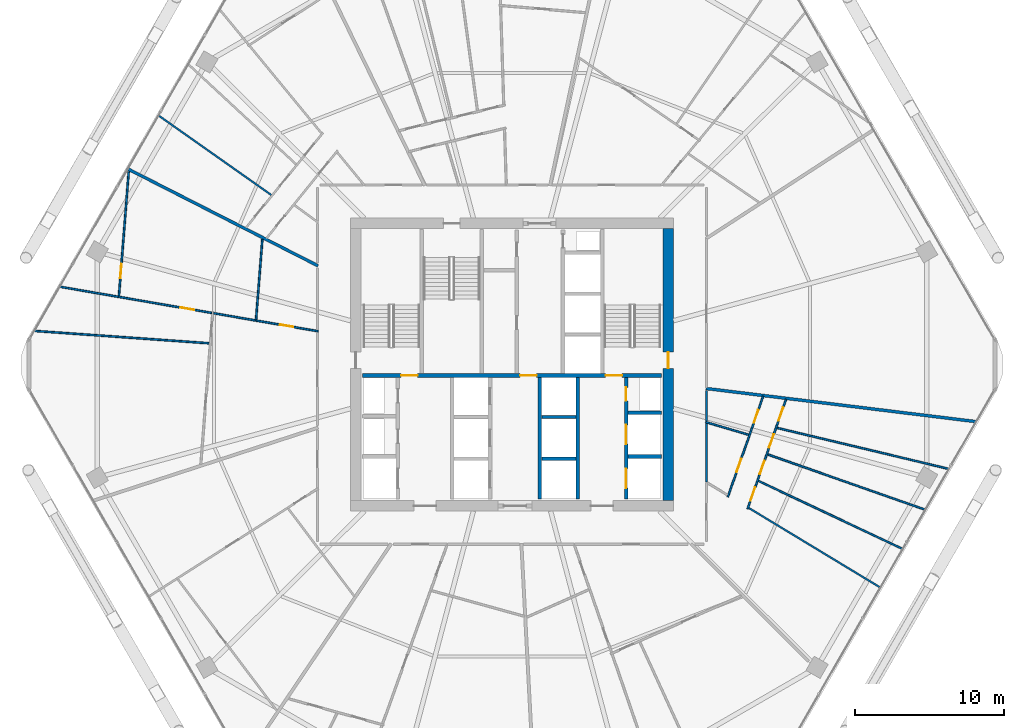
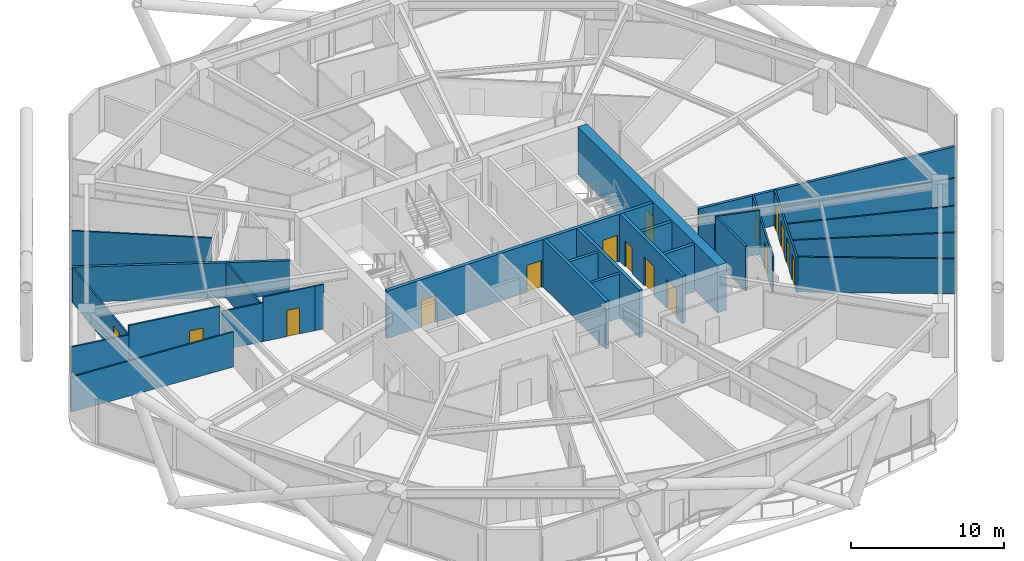
# One storey, part 29 of 35: 29 walls, 16 doors, 16 openings.
"""IFC4 building model written with IfcOpenShell, lengths in metres."""

from ifc_helpers import new_model, si_unit, direction, frame, frame_2d, origin, place, context, subcontext, project, spatial, rectangle, extrude, material, layer, layer_set, type_object, element, fill, save


model = new_model("IFC4")

# Units and contexts
model_context = context("Model", 3, precision=1e-05, world=origin(), true_north=direction((0.0, 1.0)))
body_context = subcontext(model_context, "Body", "Model", "MODEL_VIEW")
ifc_project = project(units=[si_unit("LENGTHUNIT", "METRE"), si_unit("AREAUNIT", "SQUARE_METRE"), si_unit("VOLUMEUNIT", "CUBIC_METRE"), si_unit("PLANEANGLEUNIT", "RADIAN"), si_unit("MASSUNIT", "GRAM", prefix="KILO")], contexts=[model_context])

# Site, building, storey
site_placement = place(None, origin())
site = spatial("IfcSite", under=ifc_project, at=site_placement, CompositionType="ELEMENT")
building_placement = place(site_placement, origin())
building = spatial("IfcBuilding", under=site, at=building_placement, Name="Zuhravey Tower", CompositionType="ELEMENT")
storey_placement = place(building_placement, frame((0.0, 0.0, 115.199951171875)))
storey = spatial("IfcBuildingStorey", under=building, at=storey_placement, Name="L28", CompositionType="ELEMENT", Elevation=115.199951171875)

# Wall, opening, door
ifc_material_1 = material(Name="Concrete C60/75", Category="concrete")
ifc_layer_1 = layer(ifc_material_1, 0.699951171875)
ifc_layer_set_1 = layer_set([ifc_layer_1], Name="Concrete C60/75")
wall_type_1 = type_object("IfcWallType", Name="Core Shear Wall 700", PredefinedType="SHEAR", material=ifc_layer_set_1)
wall_1_placement = place(storey_placement, frame((46.5, 22.85009765625, 0.0), z_axis=(0.0, 0.0, 1.0), x_axis=(0.0, 1.0, 0.0)))
wall_1 = element("IfcWall", 1, at=wall_1_placement, inside=storey, type_object=wall_type_1, Name="L28 East Core Shear Wall CW70", PredefinedType="SHEAR", context=body_context, shape_type="SweptSolid", body=[
    extrude(rectangle(XDim=18.2998046875, YDim=0.699951171875, at=frame_2d((9.14990234375, 0.0))), origin(), (0.0, 0.0, 1.0), 3.800048828125),
])
opening_1_placement = place(wall_1_placement, frame((8.89990234375, 0.0, 0.0)))
opening_1 = element("IfcOpeningElement", 2, at=opening_1_placement, cuts=wall_1, Name="Opening STD1", PredefinedType="OPENING", context=body_context, shape_type="SweptSolid", body=[
    extrude(rectangle(XDim=1.10009765625, YDim=2.14990234375, at=frame_2d((0.550048828125, 1.074951171875))), frame((0.0, 0.362060546875, 0.0), z_axis=(0.0, -1.0, 0.0), x_axis=(1.0, 0.0, 0.0)), (0.0, 0.0, 1.0), 0.723876953125),
])
ifc_material_2 = material(Name="Galvanised fire-rated steel leaf", Category="steel")
door_type_1 = type_object("IfcDoorType", Name="Protected Stair Fire Door 1100x2150", OperationType="NOTDEFINED", PredefinedType="USERDEFINED", material=ifc_material_2)
door_1_placement = place(opening_1_placement, origin())
door_1 = element("IfcDoor", 3, at=door_1_placement, inside=storey, type_object=door_type_1, Name="L28 Stair ST2 Door", ObjectType="EXITDOOR", OperationType="SINGLE_SWING_LEFT", OverallHeight=2.14990234375, OverallWidth=1.10009765625, PredefinedType="USERDEFINED", context=body_context, shape_type="SweptSolid", body=[
    extrude(rectangle(XDim=1.10009765625, YDim=2.14990234375, at=frame_2d((0.550048828125, 1.074951171875))), frame((0.0, 0.02490234375, 0.0), z_axis=(0.0, -1.0, 0.0), x_axis=(1.0, 0.0, 0.0)), (0.0, 0.0, 1.0), 0.050048828125),
])
fill(opening_1, door_1)

# Walls
ifc_material_3 = material(Name="Gypsum fire-rated stud partition")
ifc_layer_2 = layer(ifc_material_3, 0.159912109375)
ifc_layer_set_2 = layer_set([ifc_layer_2], Name="Gypsum fire-rated stud partition")
wall_type_2 = type_object("IfcWallType", Name="Corridor Fire Partition 160", PredefinedType="PARTITIONING", material=ifc_layer_set_2)
wall_2_placement = place(storey_placement, frame((49.080078125, 24.108154296875, 0.0), z_axis=(0.0, 0.0, 1.0), x_axis=(0.0, 1.0, 0.0)))
element("IfcWall", 4, at=wall_2_placement, inside=storey, type_object=wall_type_2, Name="L28 IW16 Partition 127", PredefinedType="PARTITIONING", context=body_context, shape_type="SweptSolid", body=[
    extrude(rectangle(XDim=3.94677734375, YDim=0.159912109375, at=frame_2d((1.973388671875, 0.0))), origin(), (0.0, 0.0, 1.0), 3.550048828125),
])
wall_3_placement = place(storey_placement, frame((49.080078125, 28.19677734375, 0.0), z_axis=(0.0, 0.0, 1.0), x_axis=(0.0, 1.0, 0.0)))
element("IfcWall", 5, at=wall_3_placement, inside=storey, type_object=wall_type_2, Name="L28 IW16 Partition 128", PredefinedType="PARTITIONING", context=body_context, shape_type="SweptSolid", body=[
    extrude(rectangle(XDim=2.06103515625, YDim=0.159912109375, at=frame_2d((1.030517578125, 0.0))), origin(), (0.0, 0.0, 1.0), 2.85009765625),
])

# Wall, openings, doors
ifc_material_4 = material(Name="Concrete C50/60", Category="concrete")
ifc_layer_3 = layer(ifc_material_4, 0.25)
ifc_layer_set_3 = layer_set([ifc_layer_3], Name="Concrete C50/60")
wall_type_3 = type_object("IfcWallType", Name="Firefighting Shaft & Stair Wall 250", PredefinedType="SOLIDWALL", material=ifc_layer_set_3)
wall_4_placement = place(storey_placement, frame((25.949951171875, 31.27490234375, 0.0), z_axis=(0.0, 0.0, 1.0), x_axis=(1.0, 0.0, 0.0)))
wall_4 = element("IfcWall", 6, at=wall_4_placement, inside=storey, type_object=wall_type_3, Name="L28 FW25 Shaft Wall 003", PredefinedType="SOLIDWALL", context=body_context, shape_type="SweptSolid", body=[
    extrude(rectangle(XDim=20.10009765625, YDim=0.25, at=frame_2d((10.050048828125, 0.0))), origin(), (0.0, 0.0, 1.0), 3.800048828125),
])
opening_2_placement = place(wall_4_placement, frame((2.60009765625, 0.0, 0.0)))
opening_2 = element("IfcOpeningElement", 7, at=opening_2_placement, cuts=wall_4, Name="Opening STD1", PredefinedType="OPENING", context=body_context, shape_type="SweptSolid", body=[
    extrude(rectangle(XDim=1.10009765625, YDim=2.14990234375, at=frame_2d((0.550048828125, 1.074951171875))), frame((0.0, 0.136962890625, 0.0), z_axis=(0.0, -1.0, 0.0), x_axis=(1.0, 0.0, 0.0)), (0.0, 0.0, 1.0), 0.27392578125),
])
opening_3_placement = place(wall_4_placement, frame((10.60009765625, 0.0, 0.0)))
opening_3 = element("IfcOpeningElement", 8, at=opening_3_placement, cuts=wall_4, Name="Opening STD1", PredefinedType="OPENING", context=body_context, shape_type="SweptSolid", body=[
    extrude(rectangle(XDim=1.10009765625, YDim=2.14990234375, at=frame_2d((0.550048828125, 1.074951171875))), frame((0.0, 0.136962890625, 0.0), z_axis=(0.0, -1.0, 0.0), x_axis=(1.0, 0.0, 0.0)), (0.0, 0.0, 1.0), 0.27392578125),
])
opening_4_placement = place(wall_4_placement, frame((16.35009765625, 0.0, 0.0)))
opening_4 = element("IfcOpeningElement", 9, at=opening_4_placement, cuts=wall_4, Name="Opening STD1", PredefinedType="OPENING", context=body_context, shape_type="SweptSolid", body=[
    extrude(rectangle(XDim=1.10009765625, YDim=2.14990234375, at=frame_2d((0.550048828125, 1.074951171875))), frame((0.0, 0.136962890625, 0.0), z_axis=(0.0, -1.0, 0.0), x_axis=(1.0, 0.0, 0.0)), (0.0, 0.0, 1.0), 0.27392578125),
])
door_2_placement = place(opening_2_placement, origin())
door_2 = element("IfcDoor", 10, at=door_2_placement, inside=storey, type_object=door_type_1, Name="L28 FFL-W to ST1 Door", ObjectType="EXITDOOR", OperationType="SINGLE_SWING_LEFT", OverallHeight=2.14990234375, OverallWidth=1.10009765625, PredefinedType="USERDEFINED", context=body_context, shape_type="SweptSolid", body=[
    extrude(rectangle(XDim=1.10009765625, YDim=2.14990234375, at=frame_2d((0.550048828125, 1.074951171875))), frame((0.0, 0.02490234375, 0.0), z_axis=(0.0, -1.0, 0.0), x_axis=(1.0, 0.0, 0.0)), (0.0, 0.0, 1.0), 0.050048828125),
])
fill(opening_2, door_2)
door_3_placement = place(opening_3_placement, origin())
door_3 = element("IfcDoor", 11, at=door_3_placement, inside=storey, type_object=door_type_1, Name="L28 Core Lobby Link Door", ObjectType="EXITDOOR", OperationType="SINGLE_SWING_RIGHT", OverallHeight=2.14990234375, OverallWidth=1.10009765625, PredefinedType="USERDEFINED", context=body_context, shape_type="SweptSolid", body=[
    extrude(rectangle(XDim=1.10009765625, YDim=2.14990234375, at=frame_2d((0.550048828125, 1.074951171875))), frame((0.0, 0.02490234375, 0.0), z_axis=(0.0, -1.0, 0.0), x_axis=(1.0, 0.0, 0.0)), (0.0, 0.0, 1.0), 0.050048828125),
])
fill(opening_3, door_3)
door_4_placement = place(opening_4_placement, origin())
door_4 = element("IfcDoor", 12, at=door_4_placement, inside=storey, type_object=door_type_1, Name="L28 FFL-E to ST2 Door", ObjectType="EXITDOOR", OperationType="SINGLE_SWING_LEFT", OverallHeight=2.14990234375, OverallWidth=1.10009765625, PredefinedType="USERDEFINED", context=body_context, shape_type="SweptSolid", body=[
    extrude(rectangle(XDim=1.10009765625, YDim=2.14990234375, at=frame_2d((0.550048828125, 1.074951171875))), frame((0.0, 0.02490234375, 0.0), z_axis=(0.0, -1.0, 0.0), x_axis=(1.0, 0.0, 0.0)), (0.0, 0.0, 1.0), 0.050048828125),
])
fill(opening_4, door_4)

# Walls
for number, where, z_axis, x_axis, name in (
    (13, (37.875, 22.949951171875, 0.0), (0.0, 0.0, 1.0), (0.0, 1.0, 0.0), "L28 FW25 Shaft Wall 014"),
    (14, (40.425048828125, 22.949951171875, 0.0), (0.0, 0.0, 1.0), (0.0, 1.0, 0.0), "L28 FW25 Shaft Wall 015"),
):
    element("IfcWall", number, at=place(storey_placement, frame(where, z_axis=z_axis, x_axis=x_axis)), inside=storey, type_object=wall_type_3, Name=name, PredefinedType="SOLIDWALL", context=body_context, shape_type="SweptSolid", body=[
        extrude(rectangle(XDim=8.199951171875, YDim=0.25, at=frame_2d((4.10009765625, 0.0))), origin(), (0.0, 0.0, 1.0), 3.800048828125),
    ])
for number, where, z_axis, x_axis, name in (
    (15, (43.800048828125, 25.824951171875, 0.0), (0.0, 0.0, 1.0), (1.0, 0.0, 0.0), "L28 FW25 Shaft Wall 016"),
    (16, (43.800048828125, 28.77490234375, 0.0), (0.0, 0.0, 1.0), (1.0, 0.0, 0.0), "L28 FW25 Shaft Wall 017"),
):
    element("IfcWall", number, at=place(storey_placement, frame(where, z_axis=z_axis, x_axis=x_axis)), inside=storey, type_object=wall_type_3, Name=name, PredefinedType="SOLIDWALL", context=body_context, shape_type="SweptSolid", body=[
        extrude(rectangle(XDim=2.25, YDim=0.25, at=frame_2d((1.125, 0.0))), origin(), (0.0, 0.0, 1.0), 3.800048828125),
    ])

# Wall, openings, doors
wall_5_placement = place(storey_placement, frame((43.675048828125, 22.949951171875, 0.0), z_axis=(0.0, 0.0, 1.0), x_axis=(0.0, 1.0, 0.0)))
wall_5 = element("IfcWall", 17, at=wall_5_placement, inside=storey, type_object=wall_type_3, Name="L28 FW25 Shaft Wall 018", PredefinedType="SOLIDWALL", context=body_context, shape_type="SweptSolid", body=[
    extrude(rectangle(XDim=8.199951171875, YDim=0.25, at=frame_2d((4.10009765625, 0.0))), origin(), (0.0, 0.0, 1.0), 3.800048828125),
])
opening_5_placement = place(wall_5_placement, frame((0.75, 0.0, 0.0)))
opening_5 = element("IfcOpeningElement", 18, at=opening_5_placement, cuts=wall_5, Name="Opening LD2", PredefinedType="OPENING", context=body_context, shape_type="SweptSolid", body=[
    extrude(rectangle(XDim=1.300048828125, YDim=2.300048828125, at=frame_2d((0.64990234375, 1.14990234375))), frame((0.0, 0.136962890625, 0.0), z_axis=(0.0, -1.0, 0.0), x_axis=(1.0, 0.0, 0.0)), (0.0, 0.0, 1.0), 0.27392578125),
])
opening_6_placement = place(wall_5_placement, frame((3.699951171875, 0.0, 0.0)))
opening_6 = element("IfcOpeningElement", 19, at=opening_6_placement, cuts=wall_5, Name="Opening LD2", PredefinedType="OPENING", context=body_context, shape_type="SweptSolid", body=[
    extrude(rectangle(XDim=1.300048828125, YDim=2.300048828125, at=frame_2d((0.64990234375, 1.14990234375))), frame((0.0, 0.136962890625, 0.0), z_axis=(0.0, -1.0, 0.0), x_axis=(1.0, 0.0, 0.0)), (0.0, 0.0, 1.0), 0.27392578125),
])
opening_7_placement = place(wall_5_placement, frame((6.6201171875, 0.0, 0.0)))
opening_7 = element("IfcOpeningElement", 20, at=opening_7_placement, cuts=wall_5, Name="Opening RSD1", PredefinedType="OPENING", context=body_context, shape_type="SweptSolid", body=[
    extrude(rectangle(XDim=0.89990234375, YDim=2.10009765625, at=frame_2d((0.449951171875, 1.050048828125))), frame((0.0, 0.136962890625, 0.0), z_axis=(0.0, -1.0, 0.0), x_axis=(1.0, 0.0, 0.0)), (0.0, 0.0, 1.0), 0.27392578125),
])
ifc_material_5 = material(Name="Brushed stainless steel", Category="steel")
door_type_2 = type_object("IfcDoorType", Name="Freight & Stretcher Lift Sliding Door 1300x2300", OperationType="DOUBLE_DOOR_SLIDING", PredefinedType="DOOR", material=ifc_material_5)
door_5_placement = place(opening_5_placement, origin())
door_5 = element("IfcDoor", 21, at=door_5_placement, inside=storey, type_object=door_type_2, Name="L28 Lift FF2 Landing Door", OperationType="DOUBLE_DOOR_SLIDING", OverallHeight=2.300048828125, OverallWidth=1.300048828125, PredefinedType="DOOR", context=body_context, shape_type="SweptSolid", body=[
    extrude(rectangle(XDim=1.300048828125, YDim=2.300048828125, at=frame_2d((0.64990234375, 1.14990234375))), frame((0.0, 0.02490234375, 0.0), z_axis=(0.0, -1.0, 0.0), x_axis=(1.0, 0.0, 0.0)), (0.0, 0.0, 1.0), 0.050048828125),
])
fill(opening_5, door_5)
door_6_placement = place(opening_6_placement, origin())
door_6 = element("IfcDoor", 22, at=door_6_placement, inside=storey, type_object=door_type_2, Name="L28 Lift SV1 Landing Door", OperationType="DOUBLE_DOOR_SLIDING", OverallHeight=2.300048828125, OverallWidth=1.300048828125, PredefinedType="DOOR", context=body_context, shape_type="SweptSolid", body=[
    extrude(rectangle(XDim=1.300048828125, YDim=2.300048828125, at=frame_2d((0.64990234375, 1.14990234375))), frame((0.0, 0.02490234375, 0.0), z_axis=(0.0, -1.0, 0.0), x_axis=(1.0, 0.0, 0.0)), (0.0, 0.0, 1.0), 0.050048828125),
])
fill(opening_6, door_6)
ifc_material_6 = material(Name="Galvanised fire-rated steel access leaf", Category="steel")
door_type_3 = type_object("IfcDoorType", Name="Riser & Shaft Access Fire Door 900x2100", OperationType="NOTDEFINED", PredefinedType="DOOR", material=ifc_material_6)
door_7_placement = place(opening_7_placement, origin())
door_7 = element("IfcDoor", 23, at=door_7_placement, inside=storey, type_object=door_type_3, Name="L28 Plumbing Riser Door", OperationType="SINGLE_SWING_LEFT", OverallHeight=2.10009765625, OverallWidth=0.89990234375, PredefinedType="DOOR", context=body_context, shape_type="SweptSolid", body=[
    extrude(rectangle(XDim=0.89990234375, YDim=2.10009765625, at=frame_2d((0.449951171875, 1.050048828125))), frame((0.0, 0.02490234375, 0.0), z_axis=(0.0, -1.0, 0.0), x_axis=(1.0, 0.0, 0.0)), (0.0, 0.0, 1.0), 0.050048828125),
])
fill(opening_7, door_7)

# Walls
ifc_material_7 = material(Name="Gypsum double-stud party assembly")
ifc_layer_4 = layer(ifc_material_7, 0.199951171875)
ifc_layer_set_4 = layer_set([ifc_layer_4], Name="Gypsum double-stud party assembly")
wall_type_4 = type_object("IfcWallType", Name="Inter-Tenancy Party Wall 200", PredefinedType="PARTITIONING", material=ifc_layer_set_4)
wall_6_placement = place(storey_placement, frame((22.9599609375, 38.644287109375, 0.0), z_axis=(0.0, 0.0, 1.0), x_axis=(-0.891012124705, 0.453979507939, 0.0)))
element("IfcWall", 24, at=wall_6_placement, inside=storey, type_object=wall_type_4, Name="L28 IW20 Partition 087", PredefinedType="PARTITIONING", context=body_context, shape_type="SweptSolid", body=[
    extrude(rectangle(XDim=14.363037109375, YDim=0.199951171875, at=frame_2d((7.181640625, 0.0))), origin(), (0.0, 0.0, 1.0), 2.800048828125),
])
wall_7_placement = place(storey_placement, frame((49.0400390625, 30.39892578125, 0.0), z_axis=(0.0, 0.0, 1.0), x_axis=(0.99254551981, -0.121874489148, 0.0)))
element("IfcWall", 25, at=wall_7_placement, inside=storey, type_object=wall_type_4, Name="L28 IW20 Partition 113", PredefinedType="PARTITIONING", context=body_context, shape_type="SweptSolid", body=[
    extrude(rectangle(XDim=18.3212890625, YDim=0.199951171875, at=frame_2d((9.16064453125, 0.0))), origin(), (0.0, 0.0, 1.0), 2.800048828125),
])
ifc_material_8 = material(Name="Gypsum acoustic stud assembly")
ifc_layer_5 = layer(ifc_material_8, 0.219970703125)
ifc_layer_set_5 = layer_set([ifc_layer_5], Name="Gypsum acoustic stud assembly")
wall_type_5 = type_object("IfcWallType", Name="School Acoustic Compartment Wall 220", PredefinedType="PARTITIONING", material=ifc_layer_set_5)
for number, where, z_axis, x_axis, name in (
    (26, (38.008056640625, 25.675048828125, 0.0), (0.0, 0.0, 1.0), (1.0, 0.0, 0.0), "L28 IW22 Partition 065"),
    (27, (38.008056640625, 28.47509765625, 0.0), (0.0, 0.0, 1.0), (1.0, 0.0, 0.0), "L28 IW22 Partition 066"),
):
    element("IfcWall", number, at=place(storey_placement, frame(where, z_axis=z_axis, x_axis=x_axis)), inside=storey, type_object=wall_type_5, Name=name, PredefinedType="PARTITIONING", context=body_context, shape_type="SweptSolid", body=[
        extrude(rectangle(XDim=2.283935546875, YDim=0.219970703125, at=frame_2d((1.14208984375, 0.0))), origin(), (0.0, 0.0, 1.0), 3.550048828125),
    ])

# Wall, opening, door
ifc_material_9 = material(Name="Gypsum metal-stud partition")
ifc_layer_6 = layer(ifc_material_9, 0.1201171875)
ifc_layer_set_6 = layer_set([ifc_layer_6], Name="Gypsum metal-stud partition")
wall_type_6 = type_object("IfcWallType", Name="Unit Internal Partition 120", PredefinedType="PARTITIONING", material=ifc_layer_set_6)
wall_8_placement = place(storey_placement, frame((22.35009765625, 34.352783203125, 0.0), z_axis=(0.0, 0.0, 1.0), x_axis=(-0.985463207412, 0.169888983862, 0.0)))
wall_8 = element("IfcWall", 28, at=wall_8_placement, inside=storey, type_object=wall_type_6, Name="L28 IW12 Partition 034", PredefinedType="PARTITIONING", context=body_context, shape_type="SweptSolid", body=[
    extrude(rectangle(XDim=3.647216796875, YDim=0.1201171875, at=frame_2d((1.82373046875, 0.0))), origin(), (0.0, 0.0, 1.0), 3.550048828125),
])
opening_8_placement = place(wall_8_placement, frame((1.081787109375, 0.0, 0.0)))
opening_8 = element("IfcOpeningElement", 29, at=opening_8_placement, cuts=wall_8, Name="Opening WCD1", PredefinedType="OPENING", context=body_context, shape_type="SweptSolid", body=[
    extrude(rectangle(XDim=0.89990234375, YDim=2.10009765625, at=frame_2d((0.449951171875, 1.050048828125))), frame((0.0, 0.072021484375, 0.0), z_axis=(0.0, -1.0, 0.0), x_axis=(1.0, 0.0, 0.0)), (0.0, 0.0, 1.0), 0.14404296875),
])
ifc_material_10 = material(Name="Moisture-resistant timber leaf", Category="wood")
door_type_4 = type_object("IfcDoorType", Name="Bathroom & WC Internal Door 900x2100", OperationType="NOTDEFINED", PredefinedType="DOOR", material=ifc_material_10)
door_8_placement = place(opening_8_placement, frame((0.89990234375, 0.0, 0.0), z_axis=(0.0, 0.0, 1.0), x_axis=(-1.0, 0.0, 0.0)))
door_8 = element("IfcDoor", 30, at=door_8_placement, inside=storey, type_object=door_type_4, Name="Apartment L28-04 Bathroom Door", OperationType="SINGLE_SWING_LEFT", OverallHeight=2.10009765625, OverallWidth=0.89990234375, PredefinedType="DOOR", context=body_context, shape_type="SweptSolid", body=[
    extrude(rectangle(XDim=0.89990234375, YDim=2.10009765625, at=frame_2d((0.449951171875, 1.050048828125))), frame((0.0, 0.02490234375, 0.0), z_axis=(0.0, -1.0, 0.0), x_axis=(1.0, 0.0, 0.0)), (0.0, 0.0, 1.0), 0.050048828125),
])
fill(opening_8, door_8)

# Wall
wall_9_placement = place(storey_placement, frame((18.755859375, 34.972412109375, 0.0), z_axis=(0.0, 0.0, 1.0), x_axis=(-0.985473922691, 0.169826816774, 0.0)))
element("IfcWall", 31, at=wall_9_placement, inside=storey, type_object=wall_type_6, Name="L28 IW12 Partition 035", PredefinedType="PARTITIONING", context=body_context, shape_type="SweptSolid", body=[
    extrude(rectangle(XDim=2.85791015625, YDim=0.1201171875, at=frame_2d((1.428955078125, 0.0))), origin(), (0.0, 0.0, 1.0), 3.10009765625),
])

# Wall, opening, door
wall_10_placement = place(storey_placement, frame((15.804931640625, 35.48095703125, 0.0), z_axis=(0.0, 0.0, 1.0), x_axis=(-0.985468091592, 0.169860650105, 0.0)))
wall_10 = element("IfcWall", 32, at=wall_10_placement, inside=storey, type_object=wall_type_6, Name="L28 IW12 Partition 036", PredefinedType="PARTITIONING", context=body_context, shape_type="SweptSolid", body=[
    extrude(rectangle(XDim=6.361572265625, YDim=0.1201171875, at=frame_2d((3.1806640625, 0.0))), origin(), (0.0, 0.0, 1.0), 3.550048828125),
])
opening_9_placement = place(wall_10_placement, frame((1.18359375, 0.0, 0.0)))
opening_9 = element("IfcOpeningElement", 33, at=opening_9_placement, cuts=wall_10, Name="Opening IND1", PredefinedType="OPENING", context=body_context, shape_type="SweptSolid", body=[
    extrude(rectangle(XDim=0.949951171875, YDim=2.10009765625, at=frame_2d((0.47509765625, 1.050048828125))), frame((0.0, 0.072021484375, 0.0), z_axis=(0.0, -1.0, 0.0), x_axis=(1.0, 0.0, 0.0)), (0.0, 0.0, 1.0), 0.14404296875),
])
ifc_material_11 = material(Name="Painted engineered timber leaf", Category="wood")
door_type_5 = type_object("IfcDoorType", Name="Internal Room & Bedroom Door 950x2100", OperationType="NOTDEFINED", PredefinedType="DOOR", material=ifc_material_11)
door_9_placement = place(opening_9_placement, frame((0.949951171875, 0.0, 0.0), z_axis=(0.0, 0.0, 1.0), x_axis=(-1.0, 0.0, 0.0)))
door_9 = element("IfcDoor", 34, at=door_9_placement, inside=storey, type_object=door_type_5, Name="Apartment L28-04 Home Office Door", OperationType="SINGLE_SWING_RIGHT", OverallHeight=2.10009765625, OverallWidth=0.949951171875, PredefinedType="DOOR", context=body_context, shape_type="SweptSolid", body=[
    extrude(rectangle(XDim=0.949951171875, YDim=2.10009765625, at=frame_2d((0.47509765625, 1.050048828125))), frame((0.0, 0.02490234375, 0.0), z_axis=(0.0, -1.0, 0.0), x_axis=(1.0, 0.0, 0.0)), (0.0, 0.0, 1.0), 0.050048828125),
])
fill(opening_9, door_9)

wall_11_placement = place(storey_placement, frame((10.22216796875, 44.964111328125, 0.0), z_axis=(0.0, 0.0, 1.0), x_axis=(-0.078457448152, -0.996917463399, 0.0)))
wall_11 = element("IfcWall", 35, at=wall_11_placement, inside=storey, type_object=wall_type_6, Name="L28 IW12 Partition 037", PredefinedType="PARTITIONING", context=body_context, shape_type="SweptSolid", body=[
    extrude(rectangle(XDim=8.364501953125, YDim=0.1201171875, at=frame_2d((4.18212890625, 0.0))), origin(), (0.0, 0.0, 1.0), 2.800048828125),
])
opening_10_placement = place(wall_11_placement, frame((6.211669921875, 0.0, 0.0)))
opening_10 = element("IfcOpeningElement", 36, at=opening_10_placement, cuts=wall_11, Name="Opening IND1", PredefinedType="OPENING", context=body_context, shape_type="SweptSolid", body=[
    extrude(rectangle(XDim=0.949951171875, YDim=2.10009765625, at=frame_2d((0.47509765625, 1.050048828125))), frame((0.0, 0.072021484375, 0.0), z_axis=(0.0, -1.0, 0.0), x_axis=(1.0, 0.0, 0.0)), (0.0, 0.0, 1.0), 0.14404296875),
])
door_10_placement = place(opening_10_placement, frame((0.949951171875, 0.0, 0.0), z_axis=(0.0, 0.0, 1.0), x_axis=(-1.0, 0.0, 0.0)))
door_10 = element("IfcDoor", 37, at=door_10_placement, inside=storey, type_object=door_type_5, Name="Apartment L28-04 Bedroom 1 Door", OperationType="SINGLE_SWING_LEFT", OverallHeight=2.10009765625, OverallWidth=0.949951171875, PredefinedType="DOOR", context=body_context, shape_type="SweptSolid", body=[
    extrude(rectangle(XDim=0.949951171875, YDim=2.10009765625, at=frame_2d((0.47509765625, 1.050048828125))), frame((0.0, 0.02490234375, 0.0), z_axis=(0.0, -1.0, 0.0), x_axis=(1.0, 0.0, 0.0)), (0.0, 0.0, 1.0), 0.050048828125),
])
fill(opening_10, door_10)

# Wall, openings, doors
wall_12_placement = place(storey_placement, frame((50.513916015625, 23.10009765625, 0.0), z_axis=(0.0, 0.0, 1.0), x_axis=(0.331189129745, 0.943564391199, 0.0)))
wall_12 = element("IfcWall", 38, at=wall_12_placement, inside=storey, type_object=wall_type_6, Name="L28 IW12 Partition 055", PredefinedType="PARTITIONING", context=body_context, shape_type="SweptSolid", body=[
    extrude(rectangle(XDim=7.18212890625, YDim=0.1201171875, at=frame_2d((3.591064453125, 0.0))), origin(), (0.0, 0.0, 1.0), 2.85009765625),
])
opening_11_placement = place(wall_12_placement, frame((1.78466796875, 0.0, 0.0)))
opening_11 = element("IfcOpeningElement", 39, at=opening_11_placement, cuts=wall_12, Name="Opening IND1", PredefinedType="OPENING", context=body_context, shape_type="SweptSolid", body=[
    extrude(rectangle(XDim=0.949951171875, YDim=2.10009765625, at=frame_2d((0.47509765625, 1.050048828125))), frame((0.0, 0.072021484375, 0.0), z_axis=(0.0, -1.0, 0.0), x_axis=(1.0, 0.0, 0.0)), (0.0, 0.0, 1.0), 0.14404296875),
])
opening_12_placement = place(wall_12_placement, frame((5.298583984375, 0.0, 0.0)))
opening_12 = element("IfcOpeningElement", 40, at=opening_12_placement, cuts=wall_12, Name="Opening WCD1", PredefinedType="OPENING", context=body_context, shape_type="SweptSolid", body=[
    extrude(rectangle(XDim=0.89990234375, YDim=2.10009765625, at=frame_2d((0.449951171875, 1.050048828125))), frame((0.0, 0.072021484375, 0.0), z_axis=(0.0, -1.0, 0.0), x_axis=(1.0, 0.0, 0.0)), (0.0, 0.0, 1.0), 0.14404296875),
])
door_11_placement = place(opening_12_placement, origin())
door_11 = element("IfcDoor", 41, at=door_11_placement, inside=storey, type_object=door_type_4, Name="Apartment L28-08 Bathroom Door", OperationType="SINGLE_SWING_RIGHT", OverallHeight=2.10009765625, OverallWidth=0.89990234375, PredefinedType="DOOR", context=body_context, shape_type="SweptSolid", body=[
    extrude(rectangle(XDim=0.89990234375, YDim=2.10009765625, at=frame_2d((0.449951171875, 1.050048828125))), frame((0.0, 0.02490234375, 0.0), z_axis=(0.0, -1.0, 0.0), x_axis=(1.0, 0.0, 0.0)), (0.0, 0.0, 1.0), 0.050048828125),
])
fill(opening_12, door_11)
door_12_placement = place(opening_11_placement, origin())
door_12 = element("IfcDoor", 42, at=door_12_placement, inside=storey, type_object=door_type_5, Name="Apartment L28-08 Kitchen Door", OperationType="SINGLE_SWING_LEFT", OverallHeight=2.10009765625, OverallWidth=0.949951171875, PredefinedType="DOOR", context=body_context, shape_type="SweptSolid", body=[
    extrude(rectangle(XDim=0.949951171875, YDim=2.10009765625, at=frame_2d((0.47509765625, 1.050048828125))), frame((0.0, 0.02490234375, 0.0), z_axis=(0.0, -1.0, 0.0), x_axis=(1.0, 0.0, 0.0)), (0.0, 0.0, 1.0), 0.050048828125),
])
fill(opening_11, door_12)

wall_13_placement = place(storey_placement, frame((51.8427734375, 22.2958984375, 0.0), z_axis=(0.0, 0.0, 1.0), x_axis=(0.331165256289, 0.943572770393, 0.0)))
wall_13 = element("IfcWall", 43, at=wall_13_placement, inside=storey, type_object=wall_type_6, Name="L28 IW12 Partition 056", PredefinedType="PARTITIONING", context=body_context, shape_type="SweptSolid", body=[
    extrude(rectangle(XDim=7.819580078125, YDim=0.1201171875, at=frame_2d((3.90966796875, 0.0))), origin(), (0.0, 0.0, 1.0), 2.85009765625),
])
opening_13_placement = place(wall_13_placement, frame((0.588134765625, 0.0, 0.0)))
opening_13 = element("IfcOpeningElement", 44, at=opening_13_placement, cuts=wall_13, Name="Opening IND1", PredefinedType="OPENING", context=body_context, shape_type="SweptSolid", body=[
    extrude(rectangle(XDim=0.949951171875, YDim=2.10009765625, at=frame_2d((0.47509765625, 1.050048828125))), frame((0.0, 0.072021484375, 0.0), z_axis=(0.0, -1.0, 0.0), x_axis=(1.0, 0.0, 0.0)), (0.0, 0.0, 1.0), 0.14404296875),
])
opening_14_placement = place(wall_13_placement, frame((2.492919921875, 0.0, 0.0)))
opening_14 = element("IfcOpeningElement", 45, at=opening_14_placement, cuts=wall_13, Name="Opening IND1", PredefinedType="OPENING", context=body_context, shape_type="SweptSolid", body=[
    extrude(rectangle(XDim=0.949951171875, YDim=2.10009765625, at=frame_2d((0.47509765625, 1.050048828125))), frame((0.0, 0.072021484375, 0.0), z_axis=(0.0, -1.0, 0.0), x_axis=(1.0, 0.0, 0.0)), (0.0, 0.0, 1.0), 0.14404296875),
])
opening_15_placement = place(wall_13_placement, frame((4.376708984375, 0.0, 0.0)))
opening_15 = element("IfcOpeningElement", 46, at=opening_15_placement, cuts=wall_13, Name="Opening IND1", PredefinedType="OPENING", context=body_context, shape_type="SweptSolid", body=[
    extrude(rectangle(XDim=0.949951171875, YDim=2.10009765625, at=frame_2d((0.47509765625, 1.050048828125))), frame((0.0, 0.072021484375, 0.0), z_axis=(0.0, -1.0, 0.0), x_axis=(1.0, 0.0, 0.0)), (0.0, 0.0, 1.0), 0.14404296875),
])
opening_16_placement = place(wall_13_placement, frame((6.28125, 0.0, 0.0)))
opening_16 = element("IfcOpeningElement", 47, at=opening_16_placement, cuts=wall_13, Name="Opening IND1", PredefinedType="OPENING", context=body_context, shape_type="SweptSolid", body=[
    extrude(rectangle(XDim=0.949951171875, YDim=2.10009765625, at=frame_2d((0.47509765625, 1.050048828125))), frame((0.0, 0.072021484375, 0.0), z_axis=(0.0, -1.0, 0.0), x_axis=(1.0, 0.0, 0.0)), (0.0, 0.0, 1.0), 0.14404296875),
])
door_13_placement = place(opening_13_placement, frame((0.949951171875, 0.0, 0.0), z_axis=(0.0, 0.0, 1.0), x_axis=(-1.0, 0.0, 0.0)))
door_13 = element("IfcDoor", 48, at=door_13_placement, inside=storey, type_object=door_type_5, Name="Apartment L28-08 Bedroom 1 Door", OperationType="SINGLE_SWING_LEFT", OverallHeight=2.10009765625, OverallWidth=0.949951171875, PredefinedType="DOOR", context=body_context, shape_type="SweptSolid", body=[
    extrude(rectangle(XDim=0.949951171875, YDim=2.10009765625, at=frame_2d((0.47509765625, 1.050048828125))), frame((0.0, 0.02490234375, 0.0), z_axis=(0.0, -1.0, 0.0), x_axis=(1.0, 0.0, 0.0)), (0.0, 0.0, 1.0), 0.050048828125),
])
fill(opening_13, door_13)
door_14_placement = place(opening_14_placement, frame((0.949951171875, 0.0, 0.0), z_axis=(0.0, 0.0, 1.0), x_axis=(-1.0, 0.0, 0.0)))
door_14 = element("IfcDoor", 49, at=door_14_placement, inside=storey, type_object=door_type_5, Name="Apartment L28-08 Bedroom 2 Door", OperationType="SINGLE_SWING_RIGHT", OverallHeight=2.10009765625, OverallWidth=0.949951171875, PredefinedType="DOOR", context=body_context, shape_type="SweptSolid", body=[
    extrude(rectangle(XDim=0.949951171875, YDim=2.10009765625, at=frame_2d((0.47509765625, 1.050048828125))), frame((0.0, 0.02490234375, 0.0), z_axis=(0.0, -1.0, 0.0), x_axis=(1.0, 0.0, 0.0)), (0.0, 0.0, 1.0), 0.050048828125),
])
fill(opening_14, door_14)
door_15_placement = place(opening_15_placement, frame((0.949951171875, 0.0, 0.0), z_axis=(0.0, 0.0, 1.0), x_axis=(-1.0, 0.0, 0.0)))
door_15 = element("IfcDoor", 50, at=door_15_placement, inside=storey, type_object=door_type_5, Name="Apartment L28-08 Bedroom 3 Door", OperationType="SINGLE_SWING_LEFT", OverallHeight=2.10009765625, OverallWidth=0.949951171875, PredefinedType="DOOR", context=body_context, shape_type="SweptSolid", body=[
    extrude(rectangle(XDim=0.949951171875, YDim=2.10009765625, at=frame_2d((0.47509765625, 1.050048828125))), frame((0.0, 0.02490234375, 0.0), z_axis=(0.0, -1.0, 0.0), x_axis=(1.0, 0.0, 0.0)), (0.0, 0.0, 1.0), 0.050048828125),
])
fill(opening_15, door_15)
door_16_placement = place(opening_16_placement, frame((0.949951171875, 0.0, 0.0), z_axis=(0.0, 0.0, 1.0), x_axis=(-1.0, 0.0, 0.0)))
door_16 = element("IfcDoor", 51, at=door_16_placement, inside=storey, type_object=door_type_5, Name="Apartment L28-08 Bedroom 4 Door", OperationType="SINGLE_SWING_RIGHT", OverallHeight=2.10009765625, OverallWidth=0.949951171875, PredefinedType="DOOR", context=body_context, shape_type="SweptSolid", body=[
    extrude(rectangle(XDim=0.949951171875, YDim=2.10009765625, at=frame_2d((0.47509765625, 1.050048828125))), frame((0.0, 0.02490234375, 0.0), z_axis=(0.0, -1.0, 0.0), x_axis=(1.0, 0.0, 0.0)), (0.0, 0.0, 1.0), 0.050048828125),
])
fill(opening_16, door_16)

# Walls
wall_14_placement = place(storey_placement, frame((19.808837890625, 43.4130859375, 0.0), z_axis=(0.0, 0.0, 1.0), x_axis=(-0.817344716763, 0.57614895121, 0.0)))
element("IfcWall", 52, at=wall_14_placement, inside=storey, type_object=wall_type_6, Name="L28 IW12 Partition 083", PredefinedType="PARTITIONING", context=body_context, shape_type="SweptSolid", body=[
    extrude(rectangle(XDim=9.27783203125, YDim=0.1201171875, at=frame_2d((4.638916015625, 0.0))), origin(), (0.0, 0.0, 1.0), 2.800048828125),
])
wall_15_placement = place(storey_placement, frame((15.64404296875, 33.43798828125, 0.0), z_axis=(0.0, 0.0, 1.0), x_axis=(-0.997515449917, 0.070448045941, 0.0)))
element("IfcWall", 53, at=wall_15_placement, inside=storey, type_object=wall_type_6, Name="L28 IW12 Partition 088", PredefinedType="PARTITIONING", context=body_context, shape_type="SweptSolid", body=[
    extrude(rectangle(XDim=11.834716796875, YDim=0.1201171875, at=frame_2d((5.91748046875, 0.0))), origin(), (0.0, 0.0, 1.0), 2.800048828125),
])
wall_16_placement = place(storey_placement, frame((22.964599609375, 34.246826171875, 0.0), z_axis=(0.0, 0.0, 1.0), x_axis=(-0.985457855144, 0.169920027466, 0.0)))
element("IfcWall", 54, at=wall_16_placement, inside=storey, type_object=wall_type_6, Name="L28 IW12 Partition 089", PredefinedType="PARTITIONING", context=body_context, shape_type="SweptSolid", body=[
    extrude(rectangle(XDim=0.62353515625, YDim=0.1201171875, at=frame_2d((0.311767578125, 0.0))), origin(), (0.0, 0.0, 1.0), 3.550048828125),
])
wall_17_placement = place(storey_placement, frame((9.535888671875, 36.5615234375, 0.0), z_axis=(0.0, 0.0, 1.0), x_axis=(-0.985463631193, 0.169886525644, 0.0)))
element("IfcWall", 55, at=wall_17_placement, inside=storey, type_object=wall_type_6, Name="L28 IW12 Partition 090", PredefinedType="PARTITIONING", context=body_context, shape_type="SweptSolid", body=[
    extrude(rectangle(XDim=4.009521484375, YDim=0.1201171875, at=frame_2d((2.0048828125, 0.0))), origin(), (0.0, 0.0, 1.0), 2.800048828125),
])
wall_18_placement = place(storey_placement, frame((19.210693359375, 40.433349609375, 0.0), z_axis=(0.0, 0.0, 1.0), x_axis=(-0.078465431449, -0.996916835081, 0.0)))
element("IfcWall", 56, at=wall_18_placement, inside=storey, type_object=wall_type_6, Name="L28 IW12 Partition 091", PredefinedType="PARTITIONING", context=body_context, shape_type="SweptSolid", body=[
    extrude(rectangle(XDim=5.413818359375, YDim=0.1201171875, at=frame_2d((2.70703125, 0.0))), origin(), (0.0, 0.0, 1.0), 2.85009765625),
])
wall_19_placement = place(storey_placement, frame((49.030029296875, 28.140625, 0.0), z_axis=(0.0, 0.0, 1.0), x_axis=(0.958846452048, -0.283925133433, 0.0)))
element("IfcWall", 57, at=wall_19_placement, inside=storey, type_object=wall_type_6, Name="L28 IW12 Partition 107", PredefinedType="PARTITIONING", context=body_context, shape_type="SweptSolid", body=[
    extrude(rectangle(XDim=3.00537109375, YDim=0.1201171875, at=frame_2d((1.502685546875, 0.0))), origin(), (0.0, 0.0, 1.0), 3.550048828125),
])
wall_20_placement = place(storey_placement, frame((52.57568359375, 24.178955078125, 0.0), z_axis=(0.0, 0.0, 1.0), x_axis=(0.904375150032, -0.42673831326, 0.0)))
element("IfcWall", 58, at=wall_20_placement, inside=storey, type_object=wall_type_6, Name="L28 IW12 Partition 108", PredefinedType="PARTITIONING", context=body_context, shape_type="SweptSolid", body=[
    extrude(rectangle(XDim=10.739501953125, YDim=0.1201171875, at=frame_2d((5.36962890625, 0.0))), origin(), (0.0, 0.0, 1.0), 2.800048828125),
])
wall_21_placement = place(storey_placement, frame((53.20166015625, 25.962646484375, 0.0), z_axis=(0.0, 0.0, 1.0), x_axis=(0.943569995537, -0.331173162443, 0.0)))
element("IfcWall", 59, at=wall_21_placement, inside=storey, type_object=wall_type_6, Name="L28 IW12 Partition 109", PredefinedType="PARTITIONING", context=body_context, shape_type="SweptSolid", body=[
    extrude(rectangle(XDim=11.246826171875, YDim=0.1201171875, at=frame_2d((5.62353515625, 0.0))), origin(), (0.0, 0.0, 1.0), 2.800048828125),
])
wall_22_placement = place(storey_placement, frame((53.82763671875, 27.74609375, 0.0), z_axis=(0.0, 0.0, 1.0), x_axis=(0.972698440047, -0.232072714314, 0.0)))
element("IfcWall", 60, at=wall_22_placement, inside=storey, type_object=wall_type_6, Name="L28 IW12 Partition 110", PredefinedType="PARTITIONING", context=body_context, shape_type="SweptSolid", body=[
    extrude(rectangle(XDim=11.89697265625, YDim=0.1201171875, at=frame_2d((5.948486328125, 0.0))), origin(), (0.0, 0.0, 1.0), 2.800048828125),
])
wall_23_placement = place(storey_placement, frame((51.93603515625, 22.3564453125, 0.0), z_axis=(0.0, 0.0, 1.0), x_axis=(0.855542431798, -0.517732698786, 0.0)))
element("IfcWall", 61, at=wall_23_placement, inside=storey, type_object=wall_type_6, Name="L28 IW12 Partition 112", PredefinedType="PARTITIONING", context=body_context, shape_type="SweptSolid", body=[
    extrude(rectangle(XDim=10.347900390625, YDim=0.1201171875, at=frame_2d((5.173828125, 0.0))), origin(), (0.0, 0.0, 1.0), 2.800048828125),
])

save(model, "model.ifc")
